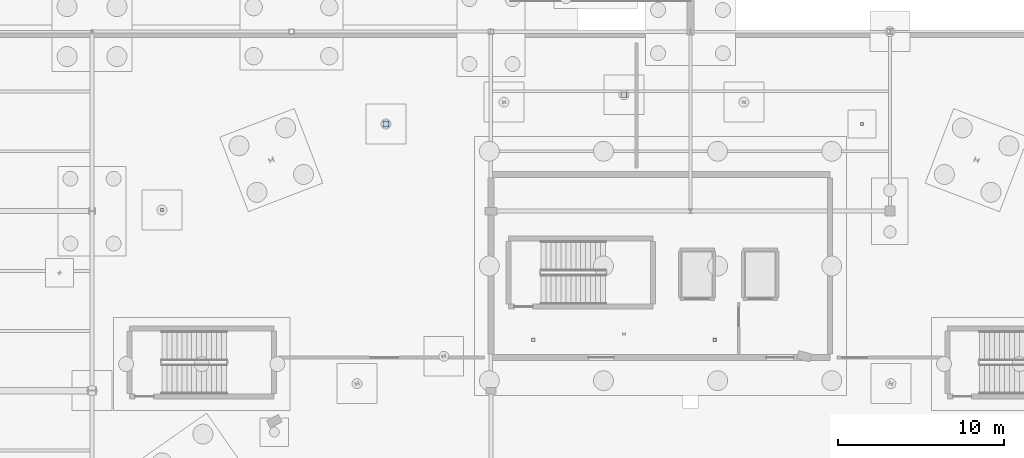
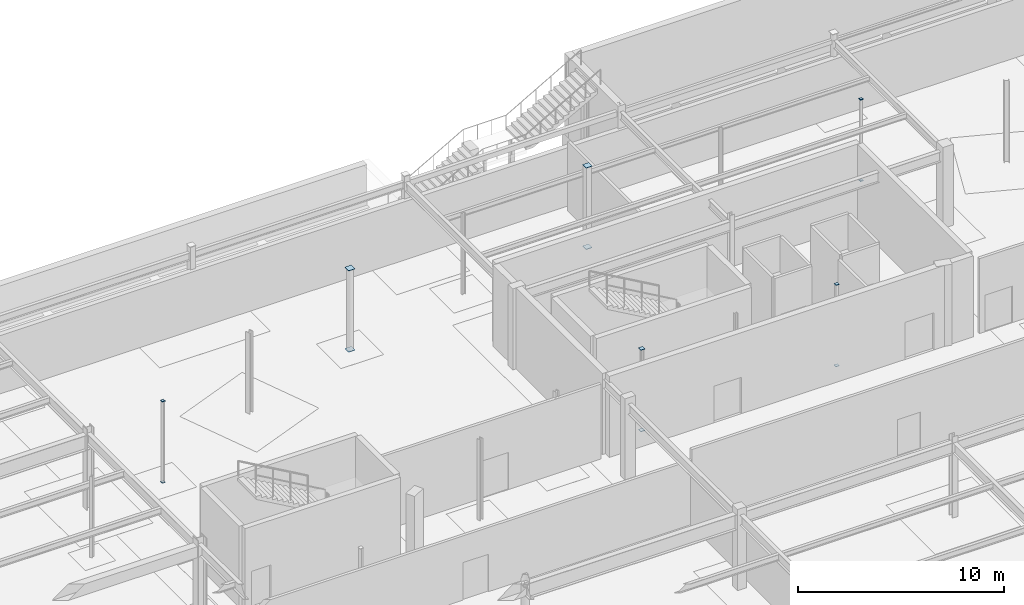
# One storey, part 101 of 136: 12 plates.
"""IFC4 building model written with IfcOpenShell, lengths in metres."""

from ifc_helpers import new_model, si_unit, direction, frame, origin, origin_2d, place, context, subcontext, project, spatial, rectangle, extrude, material, layer, layer_set, type_object, element, save


model = new_model("IFC4")

# Units and contexts
model_context = context("Model", 3, precision=1e-05, world=origin(), true_north=direction((0.0, 1.0)))
body_context = subcontext(model_context, "Body", "Model", "MODEL_VIEW")
ifc_project = project(units=[si_unit("LENGTHUNIT", "METRE"), si_unit("AREAUNIT", "SQUARE_METRE"), si_unit("VOLUMEUNIT", "CUBIC_METRE"), si_unit("PLANEANGLEUNIT", "RADIAN"), si_unit("MASSUNIT", "GRAM", prefix="KILO")], contexts=[model_context])

# Site, building, storey
site_placement = place(None, origin())
site = spatial("IfcSite", under=ifc_project, at=site_placement, CompositionType="ELEMENT")
building_placement = place(site_placement, origin())
building = spatial("IfcBuilding", under=site, at=building_placement, Name="Tarnwether General Hospital", CompositionType="ELEMENT")
storey_placement = place(building_placement, frame((0.0, 0.0, -4.800048828125)))
storey = spatial("IfcBuildingStorey", under=building, at=storey_placement, Name="LG", CompositionType="ELEMENT", Elevation=-4.800048828125)

# Plates
ifc_material = material(Name="Steel Grade 350 (350 MPa)", Category="steel")
ifc_layer = layer(ifc_material, 0.02490234375)
ifc_layer_set = layer_set([ifc_layer], Name="Steel Grade 350 (350 MPa)")
plate_type = type_object("IfcPlateType", Name="PT-GUS2", PredefinedType="USERDEFINED", material=ifc_layer_set)
for number, where, z_axis, x_axis, name in (
    (1, (64.20703125, 115.27001953125, -0.02490234375), (0.0, 0.0, 1.0), (1.0, 0.0, 0.0), "Hollow Section Welded End Cap Plate 0465"),
    (2, (64.20703125, 115.27001953125, 4.800048828125), (0.0, 0.0, 1.0), (1.0, 0.0, 0.0), "Hollow Section Welded End Cap Plate 0466"),
):
    element("IfcPlate", number, at=place(storey_placement, frame(where, z_axis=z_axis, x_axis=x_axis)), inside=storey, type_object=plate_type, Name=name, ObjectType="GUSSET", PredefinedType="USERDEFINED", context=body_context, shape_type="SweptSolid", body=[
        extrude(rectangle(XDim=0.1650390625, YDim=0.1650390625, at=origin_2d()), origin(), (0.0, 0.0, 1.0), 0.02490234375),
    ])
for number, where, z_axis, x_axis, name in (
    (3, (77.677978515625, 120.44189453125, -0.02490234375), (0.0, 0.0, 1.0), (1.0, 0.0, 0.0), "Hollow Section Welded End Cap Plate 0489"),
    (4, (77.677978515625, 120.44189453125, 4.800048828125), (0.0, 0.0, 1.0), (1.0, 0.0, 0.0), "Hollow Section Welded End Cap Plate 0490"),
):
    element("IfcPlate", number, at=place(storey_placement, frame(where, z_axis=z_axis, x_axis=x_axis)), inside=storey, type_object=plate_type, Name=name, ObjectType="GUSSET", PredefinedType="USERDEFINED", context=body_context, shape_type="SweptSolid", body=[
        extrude(rectangle(XDim=0.364013671875, YDim=0.364013671875, at=origin_2d()), origin(), (0.0, 0.0, 1.0), 0.02490234375),
    ])
for number, where, z_axis, x_axis, name in (
    (5, (86.5400390625, 107.466064453125, -0.02490234375), (0.0, 0.0, 1.0), (1.0, 0.0, 0.0), "Hollow Section Welded End Cap Plate 0515"),
    (6, (86.5400390625, 107.466064453125, 4.800048828125), (0.0, 0.0, 1.0), (1.0, 0.0, 0.0), "Hollow Section Welded End Cap Plate 0516"),
):
    element("IfcPlate", number, at=place(storey_placement, frame(where, z_axis=z_axis, x_axis=x_axis)), inside=storey, type_object=plate_type, Name=name, ObjectType="GUSSET", PredefinedType="USERDEFINED", context=body_context, shape_type="SweptSolid", body=[
        extrude(rectangle(XDim=0.23388671875, YDim=0.23388671875, at=origin_2d()), origin(), (0.0, 0.0, 1.0), 0.02490234375),
    ])
for number, where, z_axis, x_axis, name in (
    (7, (92.0, 122.199951171875, -0.02490234375), (0.0, 0.0, 1.0), (1.0, 0.0, 0.0), "Hollow Section Welded End Cap Plate 0523"),
    (8, (92.0, 122.199951171875, 4.800048828125), (0.0, 0.0, 1.0), (1.0, 0.0, 0.0), "Hollow Section Welded End Cap Plate 0524"),
):
    element("IfcPlate", number, at=place(storey_placement, frame(where, z_axis=z_axis, x_axis=x_axis)), inside=storey, type_object=plate_type, Name=name, ObjectType="GUSSET", PredefinedType="USERDEFINED", context=body_context, shape_type="SweptSolid", body=[
        extrude(rectangle(XDim=0.340087890625, YDim=0.340087890625, at=origin_2d()), origin(), (0.0, 0.0, 1.0), 0.02490234375),
    ])
for number, where, z_axis, x_axis, name in (
    (9, (97.4599609375, 107.466064453125, -0.02490234375), (0.0, 0.0, 1.0), (1.0, 0.0, 0.0), "Hollow Section Welded End Cap Plate 0543"),
    (10, (97.4599609375, 107.466064453125, 4.800048828125), (0.0, 0.0, 1.0), (1.0, 0.0, 0.0), "Hollow Section Welded End Cap Plate 0544"),
):
    element("IfcPlate", number, at=place(storey_placement, frame(where, z_axis=z_axis, x_axis=x_axis)), inside=storey, type_object=plate_type, Name=name, ObjectType="GUSSET", PredefinedType="USERDEFINED", context=body_context, shape_type="SweptSolid", body=[
        extrude(rectangle(XDim=0.18994140625, YDim=0.18994140625, at=origin_2d()), origin(), (0.0, 0.0, 1.0), 0.02490234375),
    ])
for number, where, z_axis, x_axis, name in (
    (11, (106.322021484375, 120.44189453125, -0.02490234375), (0.0, 0.0, 1.0), (1.0, 0.0, 0.0), "Hollow Section Welded End Cap Plate 0551"),
    (12, (106.322021484375, 120.44189453125, 4.800048828125), (0.0, 0.0, 1.0), (1.0, 0.0, 0.0), "Hollow Section Welded End Cap Plate 0552"),
):
    element("IfcPlate", number, at=place(storey_placement, frame(where, z_axis=z_axis, x_axis=x_axis)), inside=storey, type_object=plate_type, Name=name, ObjectType="GUSSET", PredefinedType="USERDEFINED", context=body_context, shape_type="SweptSolid", body=[
        extrude(rectangle(XDim=0.1650390625, YDim=0.1650390625, at=origin_2d()), origin(), (0.0, 0.0, 1.0), 0.02490234375),
    ])

save(model, "model.ifc")
